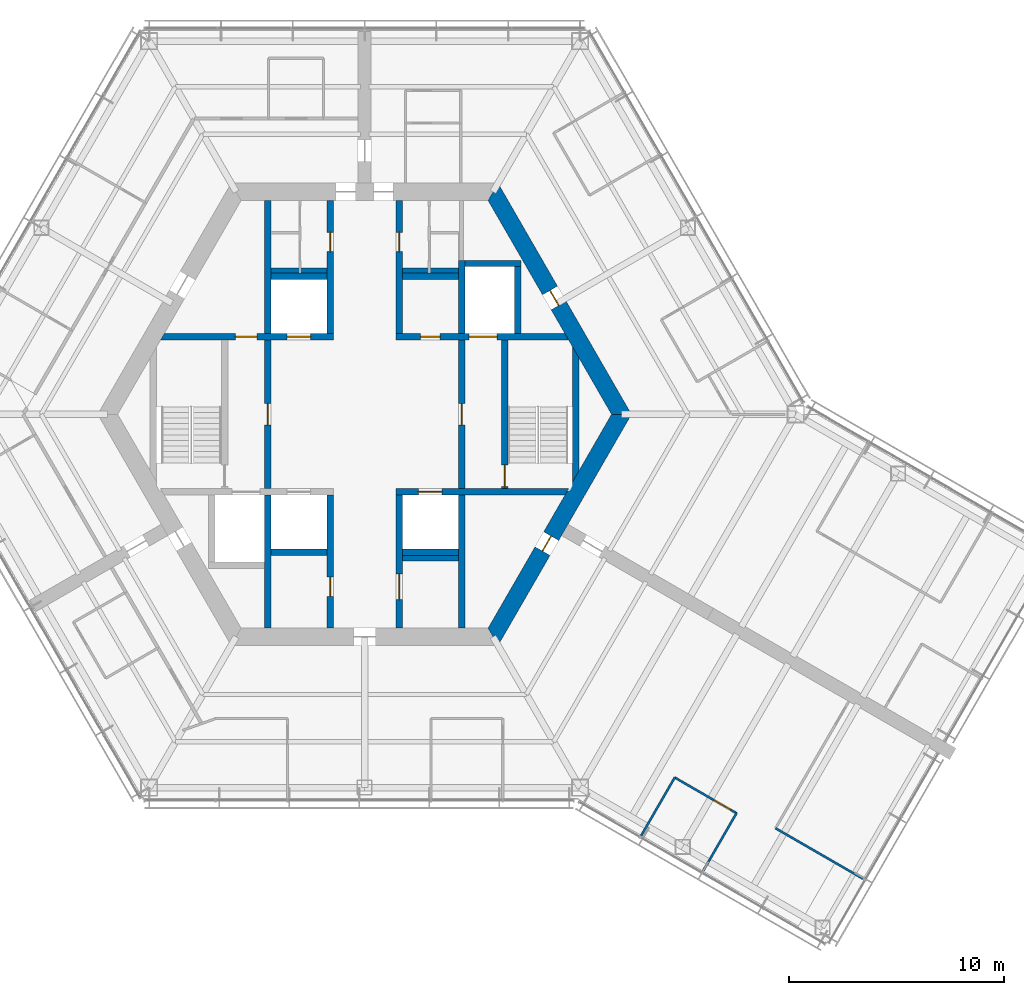
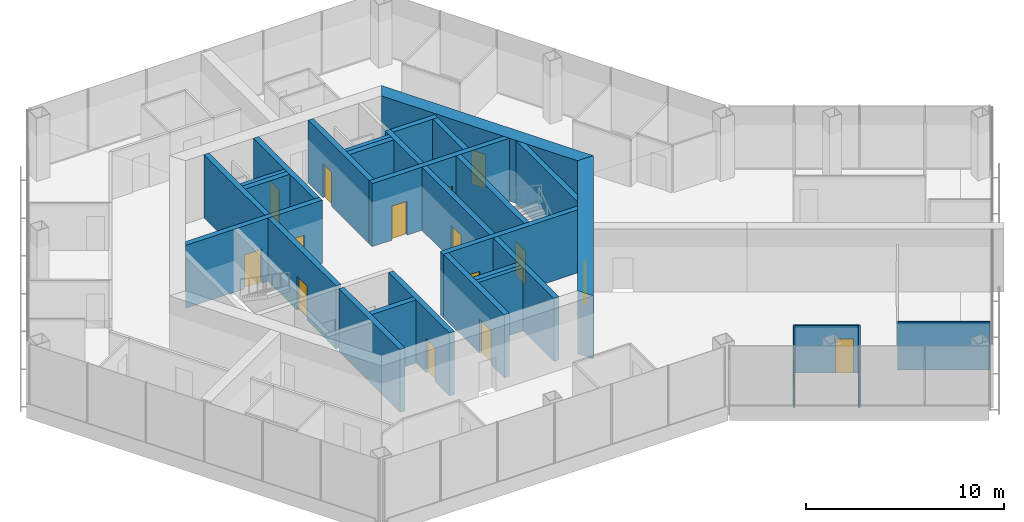
# One storey, part 11 of 16: 30 walls, 15 doors, 15 openings.
"""IFC4 building model written with IfcOpenShell, lengths in metres."""

import ifcopenshell
import ifcopenshell.guid

model = None  # the IFC model being written
_history = None  # IfcOwnerHistory: only IFC2X3 demands one
_inside = {}  # id of a spatial element -> (the spatial element, [elements in it])
_under = {}  # id of a project, library or spatial element -> (it, [spatial elements below it])
_declared = {}  # id of a project -> (the project, [libraries it declares])
_typed = {}  # id of a type object -> (the type object, [elements of that type])
_made_of = {}  # id of a material, layer set ... -> (it, [elements and type objects made of it])


def new_model(schema):
    """Start an empty IFC model of exactly this schema.

    Asked for "IFC4X3", IfcOpenShell would pick the latest addendum, in which some entities
    have other attributes; the version numbers below select the first issue.
    IFC2X3 requires an IfcOwnerHistory on every rooted entity: one is made here for all.
    """
    global model, _history
    if schema == "IFC4X3":
        model = ifcopenshell.file(schema_version=(4, 3, 0, 0))
    else:
        model = ifcopenshell.file(schema=schema)
    _inside.clear()
    _under.clear()
    _declared.clear()
    _typed.clear()
    _made_of.clear()
    _history = None
    if model.schema == "IFC2X3":
        org = make("IfcOrganization", Name="unknown")
        user = make(
            "IfcPersonAndOrganization",
            ThePerson=make("IfcPerson", FamilyName="unknown"),
            TheOrganization=org,
        )
        app = make(
            "IfcApplication",
            ApplicationDeveloper=org,
            Version="unknown",
            ApplicationFullName="unknown",
            ApplicationIdentifier="unknown",
        )
        _history = make(
            "IfcOwnerHistory",
            OwningUser=user,
            OwningApplication=app,
            ChangeAction="ADDED",
            CreationDate=0,
        )
    return model


def make(cls, **values):
    """One entity of the class cls with the attributes given. An attribute that is None is left unset."""
    return model.create_entity(
        cls, **{name: value for name, value in values.items() if value is not None}
    )


def rooted(cls, **values):
    """An entity with a GlobalId (a new one), such as an element, a storey or a relation."""
    return make(cls, GlobalId=ifcopenshell.guid.new(), OwnerHistory=_history, **values)


def si_unit(unit_type, name, prefix=None):
    """IfcSIUnit, for example si_unit("LENGTHUNIT", "METRE", prefix="MILLI")."""
    return make("IfcSIUnit", UnitType=unit_type, Prefix=prefix, Name=name)


def assignment(units):
    """IfcUnitAssignment: the units of a project."""
    return None if units is None else make("IfcUnitAssignment", Units=units)


def point(xyz):
    """IfcCartesianPoint."""
    return None if xyz is None else make("IfcCartesianPoint", Coordinates=xyz)


def direction(xyz):
    """IfcDirection."""
    return None if xyz is None else make("IfcDirection", DirectionRatios=xyz)


def frame(location, z_axis=None, x_axis=None):
    """IfcAxis2Placement3D, a coordinate frame: its origin and axes. An axis left out is left unset."""
    return make(
        "IfcAxis2Placement3D",
        Location=point(location),
        Axis=direction(z_axis),
        RefDirection=direction(x_axis),
    )


def frame_2d(location, x_axis=None):
    """IfcAxis2Placement2D, a coordinate frame in the plane: its origin and x axis."""
    return make(
        "IfcAxis2Placement2D", Location=point(location), RefDirection=direction(x_axis)
    )


def origin():
    """The frame at (0, 0, 0) with its axes left unset."""
    return frame((0.0, 0.0, 0.0))


def place(relative_to, where):
    """IfcLocalPlacement: puts the frame where relative to a parent placement (None: the world)."""
    return make(
        "IfcLocalPlacement", PlacementRelTo=relative_to, RelativePlacement=where
    )


def context(
    kind, dimensions, precision=None, world=None, true_north=None, identifier=None
):
    """IfcGeometricRepresentationContext, for example the 3D "Model" context."""
    return make(
        "IfcGeometricRepresentationContext",
        ContextIdentifier=identifier,
        ContextType=kind,
        CoordinateSpaceDimension=dimensions,
        Precision=precision,
        WorldCoordinateSystem=world,
        TrueNorth=true_north,
    )


def subcontext(parent, identifier, kind, view, scale=None):
    """IfcGeometricRepresentationSubContext, for example "Body" below "Model"."""
    return make(
        "IfcGeometricRepresentationSubContext",
        ContextIdentifier=identifier,
        ContextType=kind,
        ParentContext=parent,
        TargetScale=scale,
        TargetView=view,
    )


def project(units=None, contexts=None):
    """IfcProject with its units and contexts."""
    return rooted(
        "IfcProject",
        Name="project",
        RepresentationContexts=contexts,
        UnitsInContext=assignment(units),
    )


def spatial(cls, under=None, at=None, **own):
    """A site, building, storey or space (cls), placed at a placement, below another one or the project."""
    s = rooted(cls, ObjectPlacement=at, **own)
    if under is not None:
        _under.setdefault(under.id(), (under, []))[1].append(s)
    return s


def polyline(points):
    """IfcPolyline through the points."""
    return make("IfcPolyline", Points=[point(p) for p in points])


def profile(cls, at=None, kind="AREA", **sizes):
    """A parametric profile (cls). Its sizes go by their IFC names, for example OverallWidth=200.0."""
    return make(cls, ProfileType=kind, Position=at, **sizes)


def rectangle(**sizes):
    """IfcRectangleProfileDef."""
    return profile("IfcRectangleProfileDef", **sizes)


def outline(outer, holes=None, kind="AREA"):
    """IfcArbitraryClosedProfileDef: a profile drawn as a closed curve; with holes, ...WithVoids."""
    if holes is None:
        return make("IfcArbitraryClosedProfileDef", ProfileType=kind, OuterCurve=outer)
    return make(
        "IfcArbitraryProfileDefWithVoids",
        ProfileType=kind,
        OuterCurve=outer,
        InnerCurves=holes,
    )


def extrude(swept, where, along, depth):
    """IfcExtrudedAreaSolid: the profile swept, set in the frame where, extruded along a direction by depth."""
    return make(
        "IfcExtrudedAreaSolid",
        SweptArea=swept,
        Position=where,
        ExtrudedDirection=direction(along),
        Depth=depth,
    )


def shape(context_of_items, identifier, shape_type, items):
    """IfcShapeRepresentation: the items that make up one representation, for example the "Body"."""
    return make(
        "IfcShapeRepresentation",
        ContextOfItems=context_of_items,
        RepresentationIdentifier=identifier,
        RepresentationType=shape_type,
        Items=items,
    )


def material(Name=None, Category=None):
    """IfcMaterial."""
    return make("IfcMaterial", Name=Name, Category=Category)


def layer(
    of_material, thickness, ventilated=None, Name=None, Category=None, Priority=None
):
    """IfcMaterialLayer: one layer of a wall or slab, of a material (None: an air gap)."""
    return make(
        "IfcMaterialLayer",
        Material=of_material,
        LayerThickness=thickness,
        IsVentilated=ventilated,
        Name=Name,
        Category=Category,
        Priority=Priority,
    )


def layer_set(layers, Name=None):
    """IfcMaterialLayerSet."""
    return make("IfcMaterialLayerSet", MaterialLayers=layers, LayerSetName=Name)


def made_of(thing, what):
    """Note that an element or type object is made of a material, layer set ...; save() writes the relation."""
    if what is not None:
        _made_of.setdefault(what.id(), (what, []))[1].append(thing)
    return thing


def type_object(cls, material=None, **own):
    """A type object (cls), such as IfcWallType, which elements share."""
    return made_of(rooted(cls, **own), material)


def element(
    cls,
    number,
    at=None,
    inside=None,
    cuts=None,
    type_object=None,
    material=None,
    context=None,
    identifier="Body",
    shape_type=None,
    held_by="IfcProductDefinitionShape",
    body=None,
    shapes=None,
    **own,
):
    """One element of the class cls, such as IfcWall. Its Tag is "e" and its number.

    at: its placement. inside: the storey or other place that contains it. cuts: it is an
    opening in that element (IfcRelVoidsElement). A single representation is given by context,
    identifier, shape_type and body (its items); several are given by shapes. held_by: the class
    of the entity that holds the representations. save() writes the other relations.
    """
    e = rooted(cls, Tag="e%d" % number, ObjectPlacement=at, **own)
    if body is not None:
        shapes = [shape(context, identifier, shape_type, body)]
    if shapes is not None:
        e.Representation = make(held_by, Representations=shapes)
    if inside is not None:
        _inside.setdefault(inside.id(), (inside, []))[1].append(e)
    if cuts is not None:
        rooted(
            "IfcRelVoidsElement", RelatingBuildingElement=cuts, RelatedOpeningElement=e
        )
    if type_object is not None:
        _typed.setdefault(type_object.id(), (type_object, []))[1].append(e)
    return made_of(e, material)


def fill(opening, filler):
    """IfcRelFillsElement: the door or window that sits in an opening."""
    return rooted(
        "IfcRelFillsElement",
        RelatingOpeningElement=opening,
        RelatedBuildingElement=filler,
    )


def aggregate(whole, parts):
    """IfcRelAggregates: a whole, such as a stair, and the parts it consists of."""
    return rooted("IfcRelAggregates", RelatingObject=whole, RelatedObjects=parts)


def save(model, path):
    """Write the relations noted so far, then the file.

    IfcRelAggregates (storeys below a building ...), IfcRelContainedInSpatialStructure (elements
    in a storey), IfcRelDefinesByType, IfcRelAssociatesMaterial and IfcRelDeclares: one each for
    every whole, place, type object, material and project.
    """
    for whole, parts in _under.values():
        aggregate(whole, parts)
    for where, things in _inside.values():
        rooted(
            "IfcRelContainedInSpatialStructure",
            RelatedElements=things,
            RelatingStructure=where,
        )
    for kind, things in _typed.values():
        rooted("IfcRelDefinesByType", RelatedObjects=things, RelatingType=kind)
    for what, things in _made_of.values():
        rooted("IfcRelAssociatesMaterial", RelatedObjects=things, RelatingMaterial=what)
    for by, libraries in _declared.values():
        rooted("IfcRelDeclares", RelatingContext=by, RelatedDefinitions=libraries)
    model.write(path)


model = new_model("IFC4")

# Units and contexts
model_context = context("Model", 3, precision=1e-05, world=origin(), true_north=direction((0.0, 1.0)))
body_context = subcontext(model_context, "Body", "Model", "MODEL_VIEW")
ifc_project = project(units=[si_unit("LENGTHUNIT", "METRE"), si_unit("AREAUNIT", "SQUARE_METRE"), si_unit("VOLUMEUNIT", "CUBIC_METRE"), si_unit("PLANEANGLEUNIT", "RADIAN"), si_unit("MASSUNIT", "GRAM", prefix="KILO")], contexts=[model_context])

# Site, building, storey
site_placement = place(None, origin())
site = spatial("IfcSite", under=ifc_project, at=site_placement, CompositionType="ELEMENT")
building_placement = place(site_placement, origin())
building = spatial("IfcBuilding", under=site, at=building_placement, Name="Kasaneha Research Tower", CompositionType="ELEMENT")
storey_placement = place(building_placement, frame((0.0, 0.0, 251.800048828125)))
storey = spatial("IfcBuildingStorey", under=building, at=storey_placement, Name="L63", CompositionType="ELEMENT", Elevation=251.800048828125)

# Wall, openings, doors
ifc_material_1 = material(Name="Concrete Fc60", Category="concrete")
ifc_layer_1 = layer(ifc_material_1, 0.300048828125)
ifc_layer_set_1 = layer_set([ifc_layer_1], Name="Core internal wall 300 Fc60")
wall_type_1 = type_object("IfcWallType", Name="Core internal wall 300 Fc60", PredefinedType="SHEAR", material=ifc_layer_set_1)
wall_1_placement = place(storey_placement, frame((-9.3818359375, 3.60009765625, 0.0), z_axis=(0.0, 0.0, 1.0), x_axis=(1.0, 0.0, 0.0)))
wall_1 = element("IfcWall", 1, at=wall_1_placement, inside=storey, type_object=wall_type_1, Name="Core wall W1W L63", PredefinedType="SHEAR", context=body_context, shape_type="SweptSolid", body=[
    extrude(outline(polyline([(-0.086669921875, -0.14990234375), (3.3818359375, -0.14990234375), (4.3818359375, -0.14990234375), (5.781982421875, -0.14990234375), (6.882080078125, -0.14990234375), (7.931884765625, -0.14990234375), (7.931884765625, 0.14990234375), (6.882080078125, 0.14990234375), (5.781982421875, 0.14990234375), (4.3818359375, 0.14990234375), (3.3818359375, 0.14990234375), (0.086669921875, 0.14990234375), (-0.086669921875, -0.14990234375)])), origin(), (0.0, 0.0, 1.0), 3.89990234375),
])
opening_1_placement = place(wall_1_placement, frame((3.3818359375, 0.0, 0.0)))
opening_1 = element("IfcOpeningElement", 2, at=opening_1_placement, cuts=wall_1, Name="Opening L63-D12", PredefinedType="OPENING", context=body_context, shape_type="SweptSolid", body=[
    extrude(rectangle(XDim=1.0, YDim=2.10009765625, at=frame_2d((0.5, 1.050048828125))), frame((0.0, 0.16015625, 0.0), z_axis=(0.0, -1.0, 0.0), x_axis=(1.0, 0.0, 0.0)), (0.0, 0.0, 1.0), 0.320068359375),
])
opening_2_placement = place(wall_1_placement, frame((5.781982421875, 0.0, 0.0)))
opening_2 = element("IfcOpeningElement", 3, at=opening_2_placement, cuts=wall_1, Name="Opening LD-LH2-L63", PredefinedType="OPENING", context=body_context, shape_type="SweptSolid", body=[
    extrude(rectangle(XDim=1.10009765625, YDim=2.10009765625, at=frame_2d((0.550048828125, 1.050048828125))), frame((0.0, 0.16015625, 0.0), z_axis=(0.0, -1.0, 0.0), x_axis=(1.0, 0.0, 0.0)), (0.0, 0.0, 1.0), 0.320068359375),
])
ifc_material_2 = material(Name="Steel", Category="steel")
door_type_1 = type_object("IfcDoorType", Name="Lift landing door 1100x2100", OperationType="DOUBLE_DOOR_SLIDING", PredefinedType="DOOR", material=ifc_material_2)
door_1_placement = place(opening_2_placement, origin())
door_1 = element("IfcDoor", 4, at=door_1_placement, inside=storey, type_object=door_type_1, Name="Landing door LH2 LD-LH2-L63", OperationType="DOUBLE_DOOR_SLIDING", OverallHeight=2.10009765625, OverallWidth=1.10009765625, PredefinedType="DOOR", context=body_context, shape_type="SweptSolid", body=[
    extrude(rectangle(XDim=1.10009765625, YDim=2.10009765625, at=frame_2d((0.550048828125, 1.050048828125))), frame((0.0, 0.02490234375, 0.0), z_axis=(0.0, -1.0, 0.0), x_axis=(1.0, 0.0, 0.0)), (0.0, 0.0, 1.0), 0.050048828125),
])
fill(opening_2, door_1)
ifc_material_3 = material(Name="Steel", Category="steel")
door_type_2 = type_object("IfcDoorType", Name="Specified fire door FD60 1000x2100", OperationType="NOTDEFINED", PredefinedType="DOOR", material=ifc_material_3)
door_2_placement = place(opening_1_placement, origin())
door_2 = element("IfcDoor", 5, at=door_2_placement, inside=storey, type_object=door_type_2, Name="Vestibule to lobby door L63-D12", OperationType="SINGLE_SWING_LEFT", OverallHeight=2.10009765625, OverallWidth=1.0, PredefinedType="DOOR", context=body_context, shape_type="SweptSolid", body=[
    extrude(rectangle(XDim=1.0, YDim=2.10009765625, at=frame_2d((0.5, 1.050048828125))), frame((0.0, 0.02490234375, 0.0), z_axis=(0.0, -1.0, 0.0), x_axis=(1.0, 0.0, 0.0)), (0.0, 0.0, 1.0), 0.050048828125),
])
fill(opening_1, door_2)

wall_2_placement = place(storey_placement, frame((1.449951171875, 3.60009765625, 0.0), z_axis=(0.0, 0.0, 1.0), x_axis=(1.0, 0.0, 0.0)))
wall_2 = element("IfcWall", 6, at=wall_2_placement, inside=storey, type_object=wall_type_1, Name="Core wall W1E L63", PredefinedType="SHEAR", context=body_context, shape_type="SweptSolid", body=[
    extrude(outline(polyline([(0.0, -0.14990234375), (1.14990234375, -0.14990234375), (2.0498046875, -0.14990234375), (3.39990234375, -0.14990234375), (4.699951171875, -0.14990234375), (8.0185546875, -0.14990234375), (7.84521484375, 0.14990234375), (4.699951171875, 0.14990234375), (3.39990234375, 0.14990234375), (2.0498046875, 0.14990234375), (1.14990234375, 0.14990234375), (0.0, 0.14990234375), (0.0, -0.14990234375)])), origin(), (0.0, 0.0, 1.0), 3.89990234375),
])
opening_3_placement = place(wall_2_placement, frame((1.14990234375, 0.0, 0.0)))
opening_3 = element("IfcOpeningElement", 7, at=opening_3_placement, cuts=wall_2, Name="Opening L63-D17", PredefinedType="OPENING", context=body_context, shape_type="SweptSolid", body=[
    extrude(rectangle(XDim=0.89990234375, YDim=2.10009765625, at=frame_2d((0.449951171875, 1.050048828125))), frame((0.0, 0.16015625, 0.0), z_axis=(0.0, -1.0, 0.0), x_axis=(1.0, 0.0, 0.0)), (0.0, 0.0, 1.0), 0.320068359375),
])
opening_4_placement = place(wall_2_placement, frame((3.39990234375, 0.0, 0.0)))
opening_4 = element("IfcOpeningElement", 8, at=opening_4_placement, cuts=wall_2, Name="Opening LD-FL1-L63", PredefinedType="OPENING", context=body_context, shape_type="SweptSolid", body=[
    extrude(rectangle(XDim=1.300048828125, YDim=2.10009765625, at=frame_2d((0.64990234375, 1.050048828125))), frame((0.0, 0.16015625, 0.0), z_axis=(0.0, -1.0, 0.0), x_axis=(1.0, 0.0, 0.0)), (0.0, 0.0, 1.0), 0.320068359375),
])
ifc_material_4 = material(Name="Steel", Category="steel")
door_type_3 = type_object("IfcDoorType", Name="Lift landing door 1300x2100", OperationType="DOUBLE_DOOR_SLIDING", PredefinedType="DOOR", material=ifc_material_4)
door_3_placement = place(opening_4_placement, origin())
door_3 = element("IfcDoor", 9, at=door_3_placement, inside=storey, type_object=door_type_3, Name="Landing door FL1 LD-FL1-L63", OperationType="DOUBLE_DOOR_SLIDING", OverallHeight=2.10009765625, OverallWidth=1.300048828125, PredefinedType="DOOR", context=body_context, shape_type="SweptSolid", body=[
    extrude(rectangle(XDim=1.300048828125, YDim=2.10009765625, at=frame_2d((0.64990234375, 1.050048828125))), frame((0.0, 0.02490234375, 0.0), z_axis=(0.0, -1.0, 0.0), x_axis=(1.0, 0.0, 0.0)), (0.0, 0.0, 1.0), 0.050048828125),
])
fill(opening_4, door_3)
ifc_material_5 = material(Name="Steel", Category="steel")
door_type_4 = type_object("IfcDoorType", Name="Shaft room door FD60 900x2100", OperationType="NOTDEFINED", PredefinedType="DOOR", material=ifc_material_5)
door_4_placement = place(opening_3_placement, origin())
door_4 = element("IfcDoor", 10, at=door_4_placement, inside=storey, type_object=door_type_4, Name="Archive store door L63-D17", OperationType="SINGLE_SWING_LEFT", OverallHeight=2.10009765625, OverallWidth=0.89990234375, PredefinedType="DOOR", context=body_context, shape_type="SweptSolid", body=[
    extrude(rectangle(XDim=0.89990234375, YDim=2.10009765625, at=frame_2d((0.449951171875, 1.050048828125))), frame((0.0, 0.02490234375, 0.0), z_axis=(0.0, -1.0, 0.0), x_axis=(1.0, 0.0, 0.0)), (0.0, 0.0, 1.0), 0.050048828125),
])
fill(opening_3, door_4)

# Wall, opening, door
wall_3_placement = place(storey_placement, frame((1.449951171875, -3.60009765625, 0.0), z_axis=(0.0, 0.0, 1.0), x_axis=(1.0, 0.0, 0.0)))
wall_3 = element("IfcWall", 11, at=wall_3_placement, inside=storey, type_object=wall_type_1, Name="Core wall W2E L63", PredefinedType="SHEAR", context=body_context, shape_type="SweptSolid", body=[
    extrude(outline(polyline([(0.0, -0.14990234375), (1.050048828125, -0.14990234375), (2.150146484375, -0.14990234375), (7.84521484375, -0.14990234375), (8.0185546875, 0.14990234375), (2.150146484375, 0.14990234375), (1.050048828125, 0.14990234375), (0.0, 0.14990234375), (0.0, -0.14990234375)])), origin(), (0.0, 0.0, 1.0), 3.89990234375),
])
opening_5_placement = place(wall_3_placement, frame((1.050048828125, 0.0, 0.0)))
opening_5 = element("IfcOpeningElement", 12, at=opening_5_placement, cuts=wall_3, Name="Opening LD-LH3-L63", PredefinedType="OPENING", context=body_context, shape_type="SweptSolid", body=[
    extrude(rectangle(XDim=1.10009765625, YDim=2.10009765625, at=frame_2d((0.550048828125, 1.050048828125))), frame((0.0, 0.16015625, 0.0), z_axis=(0.0, -1.0, 0.0), x_axis=(1.0, 0.0, 0.0)), (0.0, 0.0, 1.0), 0.320068359375),
])
door_5_placement = place(opening_5_placement, origin())
door_5 = element("IfcDoor", 13, at=door_5_placement, inside=storey, type_object=door_type_1, Name="Landing door LH3 LD-LH3-L63", OperationType="DOUBLE_DOOR_SLIDING", OverallHeight=2.10009765625, OverallWidth=1.10009765625, PredefinedType="DOOR", context=body_context, shape_type="SweptSolid", body=[
    extrude(rectangle(XDim=1.10009765625, YDim=2.10009765625, at=frame_2d((0.550048828125, 1.050048828125))), frame((0.0, 0.02490234375, 0.0), z_axis=(0.0, -1.0, 0.0), x_axis=(1.0, 0.0, 0.0)), (0.0, 0.0, 1.0), 0.050048828125),
])
fill(opening_5, door_5)

wall_4_placement = place(storey_placement, frame((-1.60009765625, 3.75, 0.0), z_axis=(0.0, 0.0, 1.0), x_axis=(0.0, 1.0, 0.0)))
wall_4 = element("IfcWall", 14, at=wall_4_placement, inside=storey, type_object=wall_type_1, Name="Core wall CNW L63", PredefinedType="SHEAR", context=body_context, shape_type="SweptSolid", body=[
    extrude(rectangle(XDim=6.175048828125, YDim=0.300048828125, at=frame_2d((3.08740234375, 0.0))), origin(), (0.0, 0.0, 1.0), 3.89990234375),
])
opening_6_placement = place(wall_4_placement, frame((3.800048828125, 0.0, 0.0)))
opening_6 = element("IfcOpeningElement", 15, at=opening_6_placement, cuts=wall_4, Name="Opening L63-D13", PredefinedType="OPENING", context=body_context, shape_type="SweptSolid", body=[
    extrude(rectangle(XDim=0.89990234375, YDim=2.10009765625, at=frame_2d((0.449951171875, 1.050048828125))), frame((0.0, 0.16015625, 0.0), z_axis=(0.0, -1.0, 0.0), x_axis=(1.0, 0.0, 0.0)), (0.0, 0.0, 1.0), 0.320068359375),
])
ifc_material_6 = material(Name="Steel", Category="steel")
door_type_5 = type_object("IfcDoorType", Name="Toilet door FD20 900x2100", OperationType="NOTDEFINED", PredefinedType="DOOR", material=ifc_material_6)
door_6_placement = place(opening_6_placement, origin())
door_6 = element("IfcDoor", 16, at=door_6_placement, inside=storey, type_object=door_type_5, Name="Men's WC door L63-D13", OperationType="SINGLE_SWING_LEFT", OverallHeight=2.10009765625, OverallWidth=0.89990234375, PredefinedType="DOOR", context=body_context, shape_type="SweptSolid", body=[
    extrude(rectangle(XDim=0.89990234375, YDim=2.10009765625, at=frame_2d((0.449951171875, 1.050048828125))), frame((0.0, 0.02490234375, 0.0), z_axis=(0.0, -1.0, 0.0), x_axis=(1.0, 0.0, 0.0)), (0.0, 0.0, 1.0), 0.050048828125),
])
fill(opening_6, door_6)

wall_5_placement = place(storey_placement, frame((1.60009765625, 3.75, 0.0), z_axis=(0.0, 0.0, 1.0), x_axis=(0.0, 1.0, 0.0)))
wall_5 = element("IfcWall", 17, at=wall_5_placement, inside=storey, type_object=wall_type_1, Name="Core wall CNE L63", PredefinedType="SHEAR", context=body_context, shape_type="SweptSolid", body=[
    extrude(rectangle(XDim=6.175048828125, YDim=0.300048828125, at=frame_2d((3.08740234375, 0.0))), origin(), (0.0, 0.0, 1.0), 3.89990234375),
])
opening_7_placement = place(wall_5_placement, frame((3.800048828125, 0.0, 0.0)))
opening_7 = element("IfcOpeningElement", 18, at=opening_7_placement, cuts=wall_5, Name="Opening L63-D14", PredefinedType="OPENING", context=body_context, shape_type="SweptSolid", body=[
    extrude(rectangle(XDim=0.89990234375, YDim=2.10009765625, at=frame_2d((0.449951171875, 1.050048828125))), frame((0.0, 0.16015625, 0.0), z_axis=(0.0, -1.0, 0.0), x_axis=(1.0, 0.0, 0.0)), (0.0, 0.0, 1.0), 0.320068359375),
])
door_7_placement = place(opening_7_placement, origin())
door_7 = element("IfcDoor", 19, at=door_7_placement, inside=storey, type_object=door_type_5, Name="Women's WC door L63-D14", OperationType="SINGLE_SWING_LEFT", OverallHeight=2.10009765625, OverallWidth=0.89990234375, PredefinedType="DOOR", context=body_context, shape_type="SweptSolid", body=[
    extrude(rectangle(XDim=0.89990234375, YDim=2.10009765625, at=frame_2d((0.449951171875, 1.050048828125))), frame((0.0, 0.02490234375, 0.0), z_axis=(0.0, -1.0, 0.0), x_axis=(1.0, 0.0, 0.0)), (0.0, 0.0, 1.0), 0.050048828125),
])
fill(opening_7, door_7)

wall_6_placement = place(storey_placement, frame((-1.60009765625, -3.75, 0.0), z_axis=(0.0, 0.0, 1.0), x_axis=(0.0, -1.0, 0.0)))
wall_6 = element("IfcWall", 20, at=wall_6_placement, inside=storey, type_object=wall_type_1, Name="Core wall CSW L63", PredefinedType="SHEAR", context=body_context, shape_type="SweptSolid", body=[
    extrude(rectangle(XDim=6.175048828125, YDim=0.300048828125, at=frame_2d((3.08740234375, 0.0))), origin(), (0.0, 0.0, 1.0), 3.89990234375),
])
opening_8_placement = place(wall_6_placement, frame((3.800048828125, 0.0, 0.0)))
opening_8 = element("IfcOpeningElement", 21, at=opening_8_placement, cuts=wall_6, Name="Opening L63-D16", PredefinedType="OPENING", context=body_context, shape_type="SweptSolid", body=[
    extrude(rectangle(XDim=0.89990234375, YDim=2.10009765625, at=frame_2d((0.449951171875, 1.050048828125))), frame((0.0, 0.16015625, 0.0), z_axis=(0.0, -1.0, 0.0), x_axis=(1.0, 0.0, 0.0)), (0.0, 0.0, 1.0), 0.320068359375),
])
ifc_material_7 = material(Name="Steel", Category="steel")
door_type_6 = type_object("IfcDoorType", Name="Riser access door FD60 900x2100", OperationType="NOTDEFINED", PredefinedType="DOOR", material=ifc_material_7)
door_8_placement = place(opening_8_placement, origin())
door_8 = element("IfcDoor", 22, at=door_8_placement, inside=storey, type_object=door_type_6, Name="Electrical riser door L63-D16", OperationType="SINGLE_SWING_LEFT", OverallHeight=2.10009765625, OverallWidth=0.89990234375, PredefinedType="DOOR", context=body_context, shape_type="SweptSolid", body=[
    extrude(rectangle(XDim=0.89990234375, YDim=2.10009765625, at=frame_2d((0.449951171875, 1.050048828125))), frame((0.0, 0.02490234375, 0.0), z_axis=(0.0, -1.0, 0.0), x_axis=(1.0, 0.0, 0.0)), (0.0, 0.0, 1.0), 0.050048828125),
])
fill(opening_8, door_8)

wall_7_placement = place(storey_placement, frame((1.60009765625, -3.75, 0.0), z_axis=(0.0, 0.0, 1.0), x_axis=(0.0, -1.0, 0.0)))
wall_7 = element("IfcWall", 23, at=wall_7_placement, inside=storey, type_object=wall_type_1, Name="Core wall CSE L63", PredefinedType="SHEAR", context=body_context, shape_type="SweptSolid", body=[
    extrude(rectangle(XDim=6.175048828125, YDim=0.300048828125, at=frame_2d((3.08740234375, 0.0))), origin(), (0.0, 0.0, 1.0), 3.89990234375),
])
opening_9_placement = place(wall_7_placement, frame((3.64990234375, 0.0, 0.0)))
opening_9 = element("IfcOpeningElement", 24, at=opening_9_placement, cuts=wall_7, Name="Opening L63-D15", PredefinedType="OPENING", context=body_context, shape_type="SweptSolid", body=[
    extrude(rectangle(XDim=1.199951171875, YDim=2.10009765625, at=frame_2d((0.60009765625, 1.050048828125))), frame((0.0, 0.16015625, 0.0), z_axis=(0.0, -1.0, 0.0), x_axis=(1.0, 0.0, 0.0)), (0.0, 0.0, 1.0), 0.320068359375),
])
ifc_material_8 = material(Name="Steel", Category="steel")
door_type_7 = type_object("IfcDoorType", Name="Accessible toilet sliding door FD20 1200x2100", OperationType="SLIDING_TO_LEFT", PredefinedType="DOOR", material=ifc_material_8)
door_9_placement = place(opening_9_placement, origin())
door_9 = element("IfcDoor", 25, at=door_9_placement, inside=storey, type_object=door_type_7, Name="Accessible WC door L63-D15", OperationType="SLIDING_TO_LEFT", OverallHeight=2.10009765625, OverallWidth=1.199951171875, PredefinedType="DOOR", context=body_context, shape_type="SweptSolid", body=[
    extrude(rectangle(XDim=1.199951171875, YDim=2.10009765625, at=frame_2d((0.60009765625, 1.050048828125))), frame((0.0, 0.02490234375, 0.0), z_axis=(0.0, -1.0, 0.0), x_axis=(1.0, 0.0, 0.0)), (0.0, 0.0, 1.0), 0.050048828125),
])
fill(opening_9, door_9)

wall_8_placement = place(storey_placement, frame((-4.5, -3.449951171875, 0.0), z_axis=(0.0, 0.0, 1.0), x_axis=(0.0, 1.0, 0.0)))
wall_8 = element("IfcWall", 26, at=wall_8_placement, inside=storey, type_object=wall_type_1, Name="Core wall LBW L63", PredefinedType="SHEAR", context=body_context, shape_type="SweptSolid", body=[
    extrude(rectangle(XDim=6.89990234375, YDim=0.300048828125, at=frame_2d((3.449951171875, 0.0))), origin(), (0.0, 0.0, 1.0), 3.89990234375),
])
opening_10_placement = place(wall_8_placement, frame((2.949951171875, 0.0, 0.0)))
opening_10 = element("IfcOpeningElement", 27, at=opening_10_placement, cuts=wall_8, Name="Opening L63-D09", PredefinedType="OPENING", context=body_context, shape_type="SweptSolid", body=[
    extrude(rectangle(XDim=1.0, YDim=2.10009765625, at=frame_2d((0.5, 1.050048828125))), frame((0.0, 0.16015625, 0.0), z_axis=(0.0, -1.0, 0.0), x_axis=(1.0, 0.0, 0.0)), (0.0, 0.0, 1.0), 0.320068359375),
])
door_10_placement = place(opening_10_placement, origin())
door_10 = element("IfcDoor", 28, at=door_10_placement, inside=storey, type_object=door_type_2, Name="Lift lobby door west L63-D09", OperationType="SINGLE_SWING_LEFT", OverallHeight=2.10009765625, OverallWidth=1.0, PredefinedType="DOOR", context=body_context, shape_type="SweptSolid", body=[
    extrude(rectangle(XDim=1.0, YDim=2.10009765625, at=frame_2d((0.5, 1.050048828125))), frame((0.0, 0.02490234375, 0.0), z_axis=(0.0, -1.0, 0.0), x_axis=(1.0, 0.0, 0.0)), (0.0, 0.0, 1.0), 0.050048828125),
])
fill(opening_10, door_10)

wall_9_placement = place(storey_placement, frame((4.5, -3.449951171875, 0.0), z_axis=(0.0, 0.0, 1.0), x_axis=(0.0, 1.0, 0.0)))
wall_9 = element("IfcWall", 29, at=wall_9_placement, inside=storey, type_object=wall_type_1, Name="Core wall LBE L63", PredefinedType="SHEAR", context=body_context, shape_type="SweptSolid", body=[
    extrude(rectangle(XDim=6.89990234375, YDim=0.300048828125, at=frame_2d((3.449951171875, 0.0))), origin(), (0.0, 0.0, 1.0), 3.89990234375),
])
opening_11_placement = place(wall_9_placement, frame((2.949951171875, 0.0, 0.0)))
opening_11 = element("IfcOpeningElement", 30, at=opening_11_placement, cuts=wall_9, Name="Opening L63-D08", PredefinedType="OPENING", context=body_context, shape_type="SweptSolid", body=[
    extrude(rectangle(XDim=1.0, YDim=2.10009765625, at=frame_2d((0.5, 1.050048828125))), frame((0.0, 0.16015625, 0.0), z_axis=(0.0, -1.0, 0.0), x_axis=(1.0, 0.0, 0.0)), (0.0, 0.0, 1.0), 0.320068359375),
])
door_11_placement = place(opening_11_placement, origin())
door_11 = element("IfcDoor", 31, at=door_11_placement, inside=storey, type_object=door_type_2, Name="Lift lobby door east L63-D08", OperationType="SINGLE_SWING_LEFT", OverallHeight=2.10009765625, OverallWidth=1.0, PredefinedType="DOOR", context=body_context, shape_type="SweptSolid", body=[
    extrude(rectangle(XDim=1.0, YDim=2.10009765625, at=frame_2d((0.5, 1.050048828125))), frame((0.0, 0.02490234375, 0.0), z_axis=(0.0, -1.0, 0.0), x_axis=(1.0, 0.0, 0.0)), (0.0, 0.0, 1.0), 0.050048828125),
])
fill(opening_11, door_11)

wall_10_placement = place(storey_placement, frame((6.5, -3.449951171875, 0.0), z_axis=(0.0, 0.0, 1.0), x_axis=(0.0, 1.0, 0.0)))
wall_10 = element("IfcWall", 32, at=wall_10_placement, inside=storey, type_object=wall_type_1, Name="Core wall ANE L63", PredefinedType="SHEAR", context=body_context, shape_type="SweptSolid", body=[
    extrude(rectangle(XDim=6.89990234375, YDim=0.300048828125, at=frame_2d((3.449951171875, 0.0))), origin(), (0.0, 0.0, 1.0), 3.89990234375),
])
opening_12_placement = place(wall_10_placement, frame((0.10009765625, 0.0, 0.0)))
opening_12 = element("IfcOpeningElement", 33, at=opening_12_placement, cuts=wall_10, Name="Opening L63-D10", PredefinedType="OPENING", context=body_context, shape_type="SweptSolid", body=[
    extrude(rectangle(XDim=1.0, YDim=2.10009765625, at=frame_2d((0.5, 1.050048828125))), frame((0.0, 0.16015625, 0.0), z_axis=(0.0, -1.0, 0.0), x_axis=(1.0, 0.0, 0.0)), (0.0, 0.0, 1.0), 0.320068359375),
])
door_12_placement = place(opening_12_placement, origin())
door_12 = element("IfcDoor", 34, at=door_12_placement, inside=storey, type_object=door_type_2, Name="Stair 1 door L63-D10", OperationType="SINGLE_SWING_LEFT", OverallHeight=2.10009765625, OverallWidth=1.0, PredefinedType="DOOR", context=body_context, shape_type="SweptSolid", body=[
    extrude(rectangle(XDim=1.0, YDim=2.10009765625, at=frame_2d((0.5, 1.050048828125))), frame((0.0, 0.02490234375, 0.0), z_axis=(0.0, -1.0, 0.0), x_axis=(1.0, 0.0, 0.0)), (0.0, 0.0, 1.0), 0.050048828125),
])
fill(opening_12, door_12)

# Walls
wall_11_placement = place(storey_placement, frame((-4.5, 3.75, 0.0), z_axis=(0.0, 0.0, 1.0), x_axis=(0.0, 1.0, 0.0)))
element("IfcWall", 35, at=wall_11_placement, inside=storey, type_object=wall_type_1, Name="Core wall VNW L63", PredefinedType="SHEAR", context=body_context, shape_type="SweptSolid", body=[
    extrude(rectangle(XDim=6.175048828125, YDim=0.300048828125, at=frame_2d((3.08740234375, 0.0))), origin(), (0.0, 0.0, 1.0), 3.89990234375),
])
wall_12_placement = place(storey_placement, frame((4.5, 3.75, 0.0), z_axis=(0.0, 0.0, 1.0), x_axis=(0.0, 1.0, 0.0)))
element("IfcWall", 36, at=wall_12_placement, inside=storey, type_object=wall_type_1, Name="Core wall FNE L63", PredefinedType="SHEAR", context=body_context, shape_type="SweptSolid", body=[
    extrude(rectangle(XDim=3.39990234375, YDim=0.300048828125, at=frame_2d((1.699951171875, 0.0))), origin(), (0.0, 0.0, 1.0), 3.89990234375),
])
for number, where, z_axis, x_axis, name in (
    (37, (-4.5, -3.75, 0.0), (0.0, 0.0, 1.0), (0.0, -1.0, 0.0), "Core wall SSW L63"),
    (38, (4.5, -3.75, 0.0), (0.0, 0.0, 1.0), (0.0, -1.0, 0.0), "Core wall SSE L63"),
):
    element("IfcWall", number, at=place(storey_placement, frame(where, z_axis=z_axis, x_axis=x_axis)), inside=storey, type_object=wall_type_1, Name=name, PredefinedType="SHEAR", context=body_context, shape_type="SweptSolid", body=[
        extrude(rectangle(XDim=6.175048828125, YDim=0.300048828125, at=frame_2d((3.08740234375, 0.0))), origin(), (0.0, 0.0, 1.0), 3.89990234375),
    ])
for number, where, z_axis, x_axis, name in (
    (39, (-4.35009765625, 6.39990234375, 0.0), (0.0, 0.0, 1.0), (1.0, 0.0, 0.0), "Core wall N1N L63"),
    (40, (1.75, 6.39990234375, 0.0), (0.0, 0.0, 1.0), (1.0, 0.0, 0.0), "Core wall N3N L63"),
    (41, (-4.35009765625, -6.39990234375, 0.0), (0.0, 0.0, 1.0), (1.0, 0.0, 0.0), "Core wall S1S L63"),
    (42, (1.75, -6.39990234375, 0.0), (0.0, 0.0, 1.0), (1.0, 0.0, 0.0), "Core wall S3S L63"),
    (43, (4.64990234375, 7.0, 0.0), (0.0, 0.0, 1.0), (1.0, 0.0, 0.0), "Core wall F1N L63"),
):
    element("IfcWall", number, at=place(storey_placement, frame(where, z_axis=z_axis, x_axis=x_axis)), inside=storey, type_object=wall_type_1, Name=name, PredefinedType="SHEAR", context=body_context, shape_type="SweptSolid", body=[
        extrude(rectangle(XDim=2.60009765625, YDim=0.300048828125, at=frame_2d((1.300048828125, 0.0))), origin(), (0.0, 0.0, 1.0), 3.89990234375),
    ])
wall_13_placement = place(storey_placement, frame((7.10009765625, 3.75, 0.0), z_axis=(0.0, 0.0, 1.0), x_axis=(0.0, 1.0, 0.0)))
element("IfcWall", 44, at=wall_13_placement, inside=storey, type_object=wall_type_1, Name="Core wall F1E L63", PredefinedType="SHEAR", context=body_context, shape_type="SweptSolid", body=[
    extrude(rectangle(XDim=3.10009765625, YDim=0.300048828125, at=frame_2d((1.550048828125, 0.0))), origin(), (0.0, 0.0, 1.0), 3.89990234375),
])
wall_14_placement = place(storey_placement, frame((9.807861328125, -2.8623046875, 0.0), z_axis=(0.0, 0.0, 1.0), x_axis=(0.0, 1.0, 0.0)))
element("IfcWall", 45, at=wall_14_placement, inside=storey, type_object=wall_type_1, Name="Core wall STE L63", PredefinedType="SHEAR", context=body_context, shape_type="SweptSolid", body=[
    extrude(outline(polyline([(0.259765625, -0.14990234375), (5.46484375, -0.14990234375), (5.984375, 0.14990234375), (-0.259765625, 0.14990234375), (0.259765625, -0.14990234375)])), origin(), (0.0, 0.0, 1.0), 3.89990234375),
])

# Wall, opening, door
ifc_material_9 = material(Name="Concrete Fc60", Category="concrete")
ifc_layer_2 = layer(ifc_material_9, 0.800048828125)
ifc_layer_set_2 = layer_set([ifc_layer_2], Name="Core wall 800 Fc60")
wall_type_2 = type_object("IfcWallType", Name="Core wall 800 Fc60", PredefinedType="SHEAR", material=ifc_layer_set_2)
wall_15_placement = place(storey_placement, frame((11.92236328125, 0.0, 0.0), z_axis=(0.0, 0.0, 1.0), x_axis=(-0.500004296715, 0.866022923061, 0.0)))
wall_15 = element("IfcWall", 46, at=wall_15_placement, inside=storey, type_object=wall_type_2, Name="Core wall 030 L63", PredefinedType="SHEAR", context=body_context, shape_type="SweptSolid", body=[
    extrude(outline(polyline([(-0.23095703125, -0.39990234375), (5.83544921875, -0.39990234375), (6.635498046875, -0.39990234375), (12.1533203125, -0.39990234375), (11.69140625, 0.39990234375), (6.635498046875, 0.39990234375), (5.83544921875, 0.39990234375), (0.23095703125, 0.39990234375), (-0.23095703125, -0.39990234375)])), origin(), (0.0, 0.0, 1.0), 3.89990234375),
])
opening_13_placement = place(wall_15_placement, frame((5.83544921875, 0.0, 0.0)))
opening_13 = element("IfcOpeningElement", 47, at=opening_13_placement, cuts=wall_15, Name="Opening L63-D04", PredefinedType="OPENING", context=body_context, shape_type="SweptSolid", body=[
    extrude(rectangle(XDim=0.800048828125, YDim=2.10009765625, at=frame_2d((0.39990234375, 1.050048828125))), frame((0.0, 0.41015625, 0.0), z_axis=(0.0, -1.0, 0.0), x_axis=(1.0, 0.0, 0.0)), (0.0, 0.0, 1.0), 0.820068359375),
])
ifc_material_10 = material(Name="Steel", Category="steel")
door_type_8 = type_object("IfcDoorType", Name="Riser access door FD60 800x2100", OperationType="NOTDEFINED", PredefinedType="DOOR", material=ifc_material_10)
door_13_placement = place(opening_13_placement, origin())
door_13 = element("IfcDoor", 48, at=door_13_placement, inside=storey, type_object=door_type_8, Name="Pipe riser door L63-D04", OperationType="SINGLE_SWING_RIGHT", OverallHeight=2.10009765625, OverallWidth=0.800048828125, PredefinedType="DOOR", context=body_context, shape_type="SweptSolid", body=[
    extrude(rectangle(XDim=0.800048828125, YDim=2.10009765625, at=frame_2d((0.39990234375, 1.050048828125))), frame((0.0, 0.02490234375, 0.0), z_axis=(0.0, -1.0, 0.0), x_axis=(1.0, 0.0, 0.0)), (0.0, 0.0, 1.0), 0.050048828125),
])
fill(opening_13, door_13)

wall_16_placement = place(storey_placement, frame((5.961181640625, -10.324951171875, 0.0), z_axis=(0.0, 0.0, 1.0), x_axis=(0.500004296715, 0.866022923061, 0.0)))
wall_16 = element("IfcWall", 49, at=wall_16_placement, inside=storey, type_object=wall_type_2, Name="Core wall 330 L63", PredefinedType="SHEAR", context=body_context, shape_type="SweptSolid", body=[
    extrude(outline(polyline([(-0.23095703125, -0.39990234375), (4.593994140625, -0.39990234375), (5.39404296875, -0.39990234375), (12.1533203125, -0.39990234375), (11.69140625, 0.39990234375), (5.39404296875, 0.39990234375), (4.593994140625, 0.39990234375), (0.23095703125, 0.39990234375), (-0.23095703125, -0.39990234375)])), origin(), (0.0, 0.0, 1.0), 3.89990234375),
])
opening_14_placement = place(wall_16_placement, frame((4.593994140625, 0.0, 0.0)))
opening_14 = element("IfcOpeningElement", 50, at=opening_14_placement, cuts=wall_16, Name="Opening L63-D05", PredefinedType="OPENING", context=body_context, shape_type="SweptSolid", body=[
    extrude(rectangle(XDim=0.800048828125, YDim=2.10009765625, at=frame_2d((0.39990234375, 1.050048828125))), frame((0.0, 0.41015625, 0.0), z_axis=(0.0, -1.0, 0.0), x_axis=(1.0, 0.0, 0.0)), (0.0, 0.0, 1.0), 0.820068359375),
])
door_14_placement = place(opening_14_placement, origin())
door_14 = element("IfcDoor", 51, at=door_14_placement, inside=storey, type_object=door_type_8, Name="Pipe riser door L63-D05", OperationType="SINGLE_SWING_LEFT", OverallHeight=2.10009765625, OverallWidth=0.800048828125, PredefinedType="DOOR", context=body_context, shape_type="SweptSolid", body=[
    extrude(rectangle(XDim=0.800048828125, YDim=2.10009765625, at=frame_2d((0.39990234375, 1.050048828125))), frame((0.0, 0.02490234375, 0.0), z_axis=(0.0, -1.0, 0.0), x_axis=(1.0, 0.0, 0.0)), (0.0, 0.0, 1.0), 0.050048828125),
])
fill(opening_14, door_14)

# Walls
ifc_material_11 = material(Name="Gypsum board on steel studs, one layer each side", Category="steel")
ifc_layer_3 = layer(ifc_material_11, 0.10009765625)
ifc_layer_set_3 = layer_set([ifc_layer_3], Name="Office partition 100")
wall_type_3 = type_object("IfcWallType", Name="Office partition 100", PredefinedType="PARTITIONING", material=ifc_layer_set_3)
wall_17_placement = place(storey_placement, frame((23.1240234375, -21.549072265625, 0.0), z_axis=(0.0, 0.0, 1.0), x_axis=(-0.86601618333, 0.500015969955, 0.0)))
element("IfcWall", 52, at=wall_17_placement, inside=storey, type_object=wall_type_3, Name="Office partition FCS08 L63", PredefinedType="PARTITIONING", context=body_context, shape_type="SweptSolid", body=[
    extrude(rectangle(XDim=4.679931640625, YDim=0.10009765625, at=frame_2d((2.33984375, 0.0))), origin(), (0.0, 0.0, 1.0), 2.949951171875),
])
wall_18_placement = place(storey_placement, frame((12.837158203125, -19.547607421875, 0.0), z_axis=(0.0, 0.0, 1.0), x_axis=(0.499946688677, 0.866056180903, 0.0)))
element("IfcWall", 53, at=wall_18_placement, inside=storey, type_object=wall_type_3, Name="Office partition FCS09 L63", PredefinedType="PARTITIONING", context=body_context, shape_type="SweptSolid", body=[
    extrude(rectangle(XDim=3.110107421875, YDim=0.10009765625, at=frame_2d((1.55517578125, 0.0))), origin(), (0.0, 0.0, 1.0), 2.949951171875),
])

# Wall, opening, door
wall_19_placement = place(storey_placement, frame((14.39208984375, -16.85400390625, 0.0), z_axis=(0.0, 0.0, 1.0), x_axis=(0.866014848099, -0.500018282537, 0.0)))
wall_19 = element("IfcWall", 54, at=wall_19_placement, inside=storey, type_object=wall_type_3, Name="Office partition FCS10 L63", PredefinedType="PARTITIONING", context=body_context, shape_type="SweptSolid", body=[
    extrude(rectangle(XDim=3.31005859375, YDim=0.10009765625, at=frame_2d((1.655029296875, 0.0))), origin(), (0.0, 0.0, 1.0), 2.949951171875),
])
opening_15_placement = place(wall_19_placement, frame((2.10986328125, 0.0, 0.0)))
opening_15 = element("IfcOpeningElement", 55, at=opening_15_placement, cuts=wall_19, Name="Opening L63-D44", PredefinedType="OPENING", context=body_context, shape_type="SweptSolid", body=[
    extrude(rectangle(XDim=0.89990234375, YDim=2.10009765625, at=frame_2d((0.449951171875, 1.050048828125))), frame((0.0, 0.06005859375, 0.0), z_axis=(0.0, -1.0, 0.0), x_axis=(1.0, 0.0, 0.0)), (0.0, 0.0, 1.0), 0.1201171875),
])
ifc_material_12 = material(Name="Timber veneer", Category="wood")
door_type_9 = type_object("IfcDoorType", Name="Office door 900x2100", OperationType="SINGLE_SWING_LEFT", PredefinedType="DOOR", material=ifc_material_12)
door_15_placement = place(opening_15_placement, origin())
door_15 = element("IfcDoor", 56, at=door_15_placement, inside=storey, type_object=door_type_9, Name="Workroom door L63-D44", OperationType="SINGLE_SWING_RIGHT", OverallHeight=2.10009765625, OverallWidth=0.89990234375, PredefinedType="DOOR", context=body_context, shape_type="SweptSolid", body=[
    extrude(rectangle(XDim=0.89990234375, YDim=2.10009765625, at=frame_2d((0.449951171875, 1.050048828125))), frame((0.0, 0.02490234375, 0.0), z_axis=(0.0, -1.0, 0.0), x_axis=(1.0, 0.0, 0.0)), (0.0, 0.0, 1.0), 0.050048828125),
])
fill(opening_15, door_15)

# Walls
wall_20_placement = place(storey_placement, frame((17.258544921875, -18.509033203125, 0.0), z_axis=(0.0, 0.0, 1.0), x_axis=(-0.499980678337, -0.866036558865, 0.0)))
element("IfcWall", 57, at=wall_20_placement, inside=storey, type_object=wall_type_3, Name="Office partition FCS11 L63", PredefinedType="PARTITIONING", context=body_context, shape_type="SweptSolid", body=[
    extrude(rectangle(XDim=3.10986328125, YDim=0.10009765625, at=frame_2d((1.554931640625, 0.0))), origin(), (0.0, 0.0, 1.0), 2.949951171875),
])
ifc_material_13 = material(Name="Concrete block lining", Category="concrete")
ifc_layer_4 = layer(ifc_material_13, 0.25)
ifc_layer_set_4 = layer_set([ifc_layer_4], Name="WC plumbing wall 250")
wall_type_4 = type_object("IfcWallType", Name="WC plumbing wall 250", PredefinedType="PLUMBINGWALL", material=ifc_layer_set_4)
for number, where, z_axis, x_axis, name in (
    (58, (-4.35009765625, 6.675048828125, 0.0), (0.0, 0.0, 1.0), (1.0, 0.0, 0.0), "WC plumbing wall M L63"),
    (59, (1.75, 6.675048828125, 0.0), (0.0, 0.0, 1.0), (1.0, 0.0, 0.0), "WC plumbing wall F L63"),
    (60, (1.75, -6.675048828125, 0.0), (0.0, 0.0, 1.0), (1.0, 0.0, 0.0), "WC plumbing wall A L63"),
):
    element("IfcWall", number, at=place(storey_placement, frame(where, z_axis=z_axis, x_axis=x_axis)), inside=storey, type_object=wall_type_4, Name=name, PredefinedType="PLUMBINGWALL", context=body_context, shape_type="SweptSolid", body=[
        extrude(rectangle(XDim=2.60009765625, YDim=0.25, at=frame_2d((1.300048828125, 0.0))), origin(), (0.0, 0.0, 1.0), 3.89990234375),
    ])

save(model, "model.ifc")
